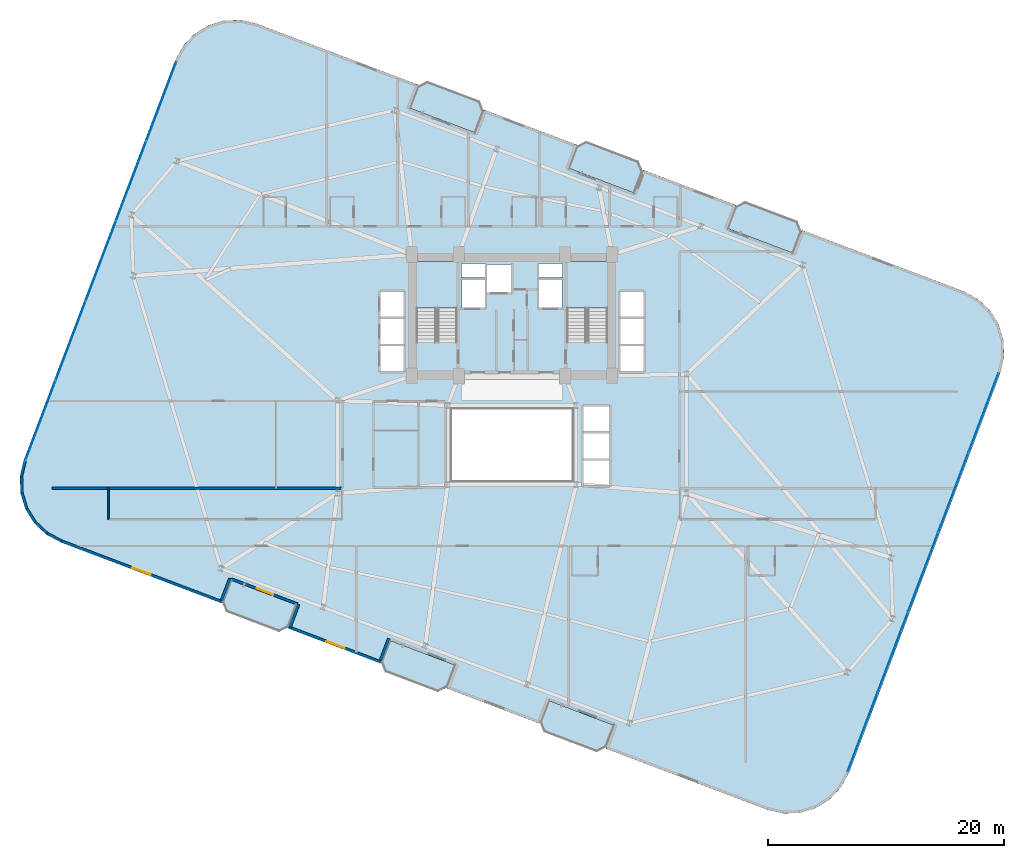
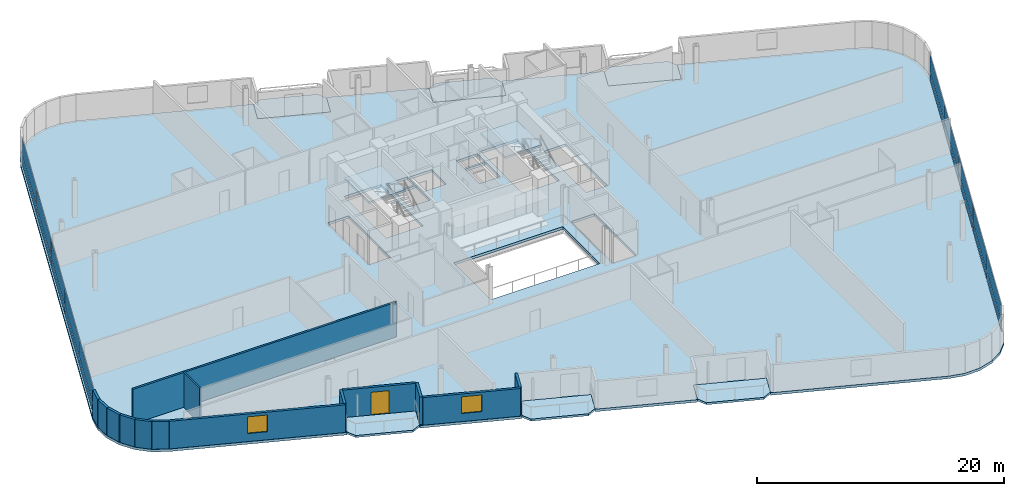
# One storey, part 16 of 24: 20 plates, 14 walls, 9 slabs, 2 windows, 1 door, 3 openings, 4 elements without a shape of their own.
"""IFC4 building model written with IfcOpenShell, lengths in metres."""

from ifc_helpers import new_model, si_unit, direction, frame, frame_2d, origin, origin_2d, place, context, subcontext, project, spatial, polyline, rectangle, outline, extrude, source, transform, mapped, material, layer, layer_set, type_object, element, fill, aggregate, save


model = new_model("IFC4")

# Units and contexts
model_context = context("Model", 3, precision=1e-05, world=origin(), true_north=direction((0.0, 1.0)))
body_context = subcontext(model_context, "Body", "Model", "MODEL_VIEW")
ifc_project = project(units=[si_unit("LENGTHUNIT", "METRE"), si_unit("AREAUNIT", "SQUARE_METRE"), si_unit("VOLUMEUNIT", "CUBIC_METRE"), si_unit("PLANEANGLEUNIT", "RADIAN"), si_unit("MASSUNIT", "GRAM", prefix="KILO")], contexts=[model_context])

# Site, building, storey
site_placement = place(None, origin())
site = spatial("IfcSite", under=ifc_project, at=site_placement, CompositionType="ELEMENT")
building_placement = place(site_placement, origin())
building = spatial("IfcBuilding", under=site, at=building_placement, Name="Varnelok Gate Tower", CompositionType="ELEMENT")
storey_placement = place(building_placement, frame((0.0, 0.0, 87.300048828125)))
storey = spatial("IfcBuildingStorey", under=building, at=storey_placement, Name="L21", CompositionType="ELEMENT", Elevation=87.300048828125)

# Slabs
ifc_material_1 = material(Name="Concrete C45/55", Category="concrete")
ifc_layer_1 = layer(ifc_material_1, 0.199951171875)
ifc_layer_set_1 = layer_set([ifc_layer_1], Name="Concrete C45/55")
slab_type_1 = type_object("IfcSlabType", Name="SLB-BALC-200", PredefinedType="FLOOR", material=ifc_layer_set_1)
slab_1_placement = place(storey_placement, frame((0.0, 0.0, -0.199951171875)))
element("IfcSlab", 1, at=slab_1_placement, inside=storey, type_object=slab_type_1, Name="L21 South Hollow Balcony 1", PredefinedType="FLOOR", context=body_context, shape_type="SweptSolid", body=[
    extrude(outline(polyline([(14.64208984375, 9.576416015625), (15.019775390625, 8.738525390625), (19.415283203125, 7.074462890625), (20.25341796875, 7.4521484375), (20.96142578125, 9.322509765625), (15.35009765625, 11.447021484375), (14.64208984375, 9.576416015625)])), origin(), (0.0, 0.0, 1.0), 0.199951171875),
])
slab_2_placement = place(storey_placement, frame((0.0, 0.0, -0.199951171875)))
element("IfcSlab", 2, at=slab_2_placement, inside=storey, type_object=slab_type_1, Name="L21 South Hollow Balcony 2", PredefinedType="FLOOR", context=body_context, shape_type="SweptSolid", body=[
    extrude(outline(polyline([(28.109375, 4.47802734375), (28.487060546875, 3.639892578125), (32.882568359375, 1.975830078125), (33.720703125, 2.353515625), (34.4287109375, 4.22412109375), (28.8173828125, 6.348388671875), (28.109375, 4.47802734375)])), origin(), (0.0, 0.0, 1.0), 0.199951171875),
])
slab_3_placement = place(storey_placement, frame((0.0, 0.0, -0.199951171875)))
element("IfcSlab", 3, at=slab_3_placement, inside=storey, type_object=slab_type_1, Name="L21 South Hollow Balcony 3", PredefinedType="FLOOR", context=body_context, shape_type="SweptSolid", body=[
    extrude(outline(polyline([(41.576416015625, -0.62060546875), (41.9541015625, -1.45849609375), (46.349853515625, -3.12255859375), (47.187744140625, -2.744873046875), (47.89599609375, -0.87451171875), (42.28466796875, 1.25), (41.576416015625, -0.62060546875)])), origin(), (0.0, 0.0, 1.0), 0.199951171875),
])
slab_4_placement = place(storey_placement, frame((0.0, 0.0, -0.199951171875)))
element("IfcSlab", 4, at=slab_4_placement, inside=storey, type_object=slab_type_1, Name="L21 North Hollow Balcony 1", PredefinedType="FLOOR", context=body_context, shape_type="SweptSolid", body=[
    extrude(outline(polyline([(30.504150390625, 51.474365234375), (36.115478515625, 49.35009765625), (36.823486328125, 51.220458984375), (36.44580078125, 52.05859375), (32.05029296875, 53.72265625), (31.212158203125, 53.344970703125), (30.504150390625, 51.474365234375)])), origin(), (0.0, 0.0, 1.0), 0.199951171875),
])
slab_5_placement = place(storey_placement, frame((0.0, 0.0, -0.199951171875)))
element("IfcSlab", 5, at=slab_5_placement, inside=storey, type_object=slab_type_1, Name="L21 North Hollow Balcony 2", PredefinedType="FLOOR", context=body_context, shape_type="SweptSolid", body=[
    extrude(outline(polyline([(43.97119140625, 46.3759765625), (49.58251953125, 44.251708984375), (50.290771484375, 46.1220703125), (49.9130859375, 46.9599609375), (45.517333984375, 48.6240234375), (44.679443359375, 48.246337890625), (43.97119140625, 46.3759765625)])), origin(), (0.0, 0.0, 1.0), 0.199951171875),
])
slab_6_placement = place(storey_placement, frame((0.0, 0.0, -0.199951171875)))
element("IfcSlab", 6, at=slab_6_placement, inside=storey, type_object=slab_type_1, Name="L21 North Hollow Balcony 3", PredefinedType="FLOOR", context=body_context, shape_type="SweptSolid", body=[
    extrude(outline(polyline([(57.4384765625, 41.27734375), (63.0498046875, 39.153076171875), (63.7578125, 41.0234375), (63.380126953125, 41.861572265625), (58.984619140625, 43.525634765625), (58.146484375, 43.14794921875), (57.4384765625, 41.27734375)])), origin(), (0.0, 0.0, 1.0), 0.199951171875),
])

# Stair, slab
ifc_material_2 = material(Name="Concrete C50/60", Category="concrete")
stair_type = type_object("IfcStairType", Name="STR-CORE-1650", PredefinedType="HALF_TURN_STAIR", material=ifc_material_2)
stair_1_placement = place(storey_placement, origin())
stair_1 = element("IfcStair", 7, at=stair_1_placement, inside=storey, type_object=stair_type, Name="L21 Exit Stair ST-1", PredefinedType="HALF_TURN_STAIR")
ifc_layer_2 = layer(ifc_material_1, 0.199951171875)
ifc_layer_set_2 = layer_set([ifc_layer_2], Name="Concrete C45/55")
slab_type_2 = type_object("IfcSlabType", Name="SLB-LAND-200", PredefinedType="LANDING", material=ifc_layer_set_2)
slab_7_placement = place(storey_placement, frame((0.0, 0.0, 1.64990234375)))
slab_7 = element("IfcSlab", 8, at=slab_7_placement, type_object=slab_type_2, Name="ST-1 landing 1", PredefinedType="LANDING", context=body_context, shape_type="SweptSolid", body=[
    extrude(outline(polyline([(34.550048828125, 34.5), (34.550048828125, 38.449951171875), (31.10009765625, 38.449951171875), (31.10009765625, 34.5), (34.550048828125, 34.5)])), origin(), (0.0, 0.0, 1.0), 0.199951171875),
])
aggregate(stair_1, [slab_7])

stair_2_placement = place(storey_placement, origin())
stair_2 = element("IfcStair", 9, at=stair_2_placement, inside=storey, type_object=stair_type, Name="L21 Exit Stair ST-2", PredefinedType="HALF_TURN_STAIR")
slab_8_placement = place(storey_placement, frame((0.0, 0.0, 1.64990234375)))
slab_8 = element("IfcSlab", 10, at=slab_8_placement, type_object=slab_type_2, Name="ST-2 landing 1", PredefinedType="LANDING", context=body_context, shape_type="SweptSolid", body=[
    extrude(outline(polyline([(47.300048828125, 34.5), (47.300048828125, 38.449951171875), (43.85009765625, 38.449951171875), (43.85009765625, 34.5), (47.300048828125, 34.5)])), origin(), (0.0, 0.0, 1.0), 0.199951171875),
])
aggregate(stair_2, [slab_8])

# Slab
ifc_layer_3 = layer(ifc_material_2, 0.25)
ifc_layer_set_3 = layer_set([ifc_layer_3], Name="Concrete C50/60")
slab_type_3 = type_object("IfcSlabType", Name="SLB-TYP-250", PredefinedType="FLOOR", material=ifc_layer_set_3)
slab_9_placement = place(storey_placement, frame((0.0, 0.0, -0.25)))
element("IfcSlab", 11, at=slab_9_placement, inside=storey, type_object=slab_type_3, Name="L21 Structural Floor Slab", PredefinedType="FLOOR", context=body_context, shape_type="SweptSolid", body=[
    extrude(outline(polyline([(-2.185791015625, 21.614501953125), (-2.508544921875, 20.2421875), (-2.465087890625, 18.833251953125), (-2.05859375, 17.4833984375), (-1.31640625, 16.284912109375), (-0.28955078125, 15.319091796875), (0.952392578125, 14.65234375), (12.05029296875, 10.45068359375), (14.606689453125, 9.48291015625), (15.35009765625, 11.447021484375), (20.96142578125, 9.322509765625), (20.218017578125, 7.358642578125), (28.073974609375, 4.384521484375), (28.8173828125, 6.348388671875), (34.4287109375, 4.22412109375), (33.685302734375, 2.260009765625), (41.541015625, -0.714111328125), (42.28466796875, 1.25), (47.89599609375, -0.87451171875), (47.15234375, -2.83837890625), (49.708740234375, -3.80615234375), (60.806640625, -8.0078125), (62.1787109375, -8.33056640625), (63.587890625, -8.287109375), (64.937744140625, -7.880615234375), (66.13623046875, -7.138427734375), (67.101806640625, -6.111328125), (67.768798828125, -4.869384765625), (80.585693359375, 28.985595703125), (80.90869140625, 30.35791015625), (80.865234375, 31.766845703125), (80.45849609375, 33.11669921875), (79.716552734375, 34.315185546875), (78.689453125, 35.28076171875), (77.447509765625, 35.94775390625), (66.349609375, 40.1494140625), (63.793212890625, 41.116943359375), (63.0498046875, 39.153076171875), (57.4384765625, 41.27734375), (58.181884765625, 43.241455078125), (50.326171875, 46.215576171875), (49.58251953125, 44.251708984375), (43.97119140625, 46.3759765625), (44.71484375, 48.33984375), (36.85888671875, 51.31396484375), (36.115478515625, 49.35009765625), (30.504150390625, 51.474365234375), (31.24755859375, 53.4384765625), (28.69140625, 54.40625), (17.593505859375, 58.607666015625), (16.22119140625, 58.930419921875), (14.81201171875, 58.886962890625), (13.46240234375, 58.48046875), (12.263916015625, 57.73828125), (11.298095703125, 56.71142578125), (10.631103515625, 55.469482421875), (-2.185791015625, 21.614501953125)]), holes=[polyline([(34.550048828125, 31.679931640625), (34.550048828125, 38.449951171875), (31.10009765625, 38.449951171875), (31.10009765625, 31.679931640625), (34.550048828125, 31.679931640625)]), polyline([(47.300048828125, 31.679931640625), (47.300048828125, 38.449951171875), (43.85009765625, 38.449951171875), (43.85009765625, 31.679931640625), (47.300048828125, 31.679931640625)]), polyline([(34.949951171875, 34.550048828125), (36.89990234375, 34.550048828125), (36.89990234375, 36.89990234375), (34.949951171875, 36.89990234375), (34.949951171875, 34.550048828125)]), polyline([(41.5, 34.550048828125), (43.449951171875, 34.550048828125), (43.449951171875, 36.89990234375), (41.5, 36.89990234375), (41.5, 34.550048828125)]), polyline([(37.050048828125, 35.85009765625), (39.14990234375, 35.85009765625), (39.14990234375, 38.199951171875), (37.050048828125, 38.199951171875), (37.050048828125, 35.85009765625)]), polyline([(28.050048828125, 29.14990234375), (30.050048828125, 29.14990234375), (30.050048828125, 35.89990234375), (28.050048828125, 35.89990234375), (28.050048828125, 29.14990234375)]), polyline([(48.35009765625, 29.14990234375), (50.35009765625, 29.14990234375), (50.35009765625, 35.89990234375), (48.35009765625, 35.89990234375), (48.35009765625, 29.14990234375)]), polyline([(45.25, 19.449951171875), (47.449951171875, 19.449951171875), (47.449951171875, 26.199951171875), (45.25, 26.199951171875), (45.25, 19.449951171875)]), polyline([(34.919921875, 37.080078125), (36.89990234375, 37.080078125), (36.89990234375, 38.280029296875), (34.919921875, 38.280029296875), (34.919921875, 37.080078125)]), polyline([(41.5, 37.080078125), (43.47998046875, 37.080078125), (43.47998046875, 38.280029296875), (41.5, 38.280029296875), (41.5, 37.080078125)]), polyline([(34.10009765625, 19.89990234375), (44.300048828125, 19.89990234375), (44.300048828125, 25.89990234375), (34.10009765625, 25.89990234375), (34.10009765625, 19.89990234375)])]), origin(), (0.0, 0.0, 1.0), 0.25),
])

# Curtain wall, plates
ifc_material_3 = material(Name="Anodized Aluminum Alloy 6063-T6", Category="aluminium")
ifc_layer_4 = layer(ifc_material_3, 0.179931640625)
ifc_layer_set_4 = layer_set([ifc_layer_4], Name="Anodized Aluminum Alloy 6063-T6")
curtain_wall_type = type_object("IfcCurtainWallType", Name="CW3-HOTEL-VISION", PredefinedType="USERDEFINED", material=ifc_layer_set_4)
curtain_wall_1_placement = place(storey_placement, origin())
curtain_wall_1 = element("IfcCurtainWall", 12, at=curtain_wall_1_placement, inside=storey, type_object=curtain_wall_type, Name="L21 West End Vision Curtain Wall", ObjectType="UNITISED CURTAIN WALL", PredefinedType="USERDEFINED")
ifc_material_4 = material(Name="Low-E Laminated Double Glazing IGU", Category="glass")
ifc_layer_5 = layer(ifc_material_4, 0.031982421875)
ifc_layer_set_5 = layer_set([ifc_layer_5], Name="Low-E Laminated Double Glazing IGU")
plate_type = type_object("IfcPlateType", Name="CW-PNL-IGU32", PredefinedType="CURTAIN_PANEL", material=ifc_layer_set_5)
shared_shape_1 = source(origin(), body_context, "Body", "SweptSolid", [
    extrude(rectangle(XDim=7.142578125, YDim=0.031982421875, at=origin_2d()), origin(), (0.0, 0.0, 1.0), 0.802490234375),
])
plate_1_placement = place(storey_placement, frame((-0.767333984375, 24.965576171875, 0.06494140625), z_axis=(0.0, 0.0, 1.0), x_axis=(0.354063660545, 0.935221323688, 0.0)))
plate_1 = element("IfcPlate", 13, at=plate_1_placement, type_object=plate_type, Name="CW3 panel 1.1", PredefinedType="CURTAIN_PANEL", context=body_context, shape_type="MappedRepresentation", body=[
    mapped(shared_shape_1, transform((0.0, 0.0, 0.0), scale=1.0)),
])
plate_2_placement = place(storey_placement, frame((9.474853515625, 52.019287109375, 0.06494140625), z_axis=(0.0, 0.0, 1.0), x_axis=(0.354063660545, 0.935221323688, 0.0)))
plate_2 = element("IfcPlate", 14, at=plate_2_placement, type_object=plate_type, Name="CW3 panel 5.1", PredefinedType="CURTAIN_PANEL", context=body_context, shape_type="MappedRepresentation", body=[
    mapped(shared_shape_1, transform((0.0, 0.0, 0.0), scale=1.0)),
])

curtain_wall_2_placement = place(storey_placement, origin())
curtain_wall_2 = element("IfcCurtainWall", 15, at=curtain_wall_2_placement, inside=storey, type_object=curtain_wall_type, Name="L21 East End Vision Curtain Wall", ObjectType="UNITISED CURTAIN WALL", PredefinedType="USERDEFINED")
plate_3_placement = place(storey_placement, frame((79.16748046875, 25.634521484375, 0.06494140625), z_axis=(0.0, 0.0, 1.0), x_axis=(-0.354063660545, -0.935221323688, 0.0)))
plate_3 = element("IfcPlate", 16, at=plate_3_placement, type_object=plate_type, Name="CW3 panel 1.1", PredefinedType="CURTAIN_PANEL", context=body_context, shape_type="MappedRepresentation", body=[
    mapped(shared_shape_1, transform((0.0, 0.0, 0.0), scale=1.0)),
])
plate_4_placement = place(storey_placement, frame((68.92529296875, -1.419189453125, 0.06494140625), z_axis=(0.0, 0.0, 1.0), x_axis=(-0.354063660545, -0.935221323688, 0.0)))
plate_4 = element("IfcPlate", 17, at=plate_4_placement, type_object=plate_type, Name="CW3 panel 5.1", PredefinedType="CURTAIN_PANEL", context=body_context, shape_type="MappedRepresentation", body=[
    mapped(shared_shape_1, transform((0.0, 0.0, 0.0), scale=1.0)),
])

# Plate
shared_shape_2 = source(origin(), body_context, "Body", "SweptSolid", [
    extrude(rectangle(XDim=7.142578125, YDim=0.031982421875, at=origin_2d()), origin(), (0.0, 0.0, 1.0), 1.732421875),
])
plate_5_placement = place(storey_placement, frame((-0.767333984375, 24.965576171875, 0.932373046875), z_axis=(0.0, 0.0, 1.0), x_axis=(0.354063660545, 0.935221323688, 0.0)))
plate_5 = element("IfcPlate", 18, at=plate_5_placement, type_object=plate_type, Name="CW3 panel 1.2", PredefinedType="CURTAIN_PANEL", context=body_context, shape_type="MappedRepresentation", body=[
    mapped(shared_shape_2, transform((0.0, 0.0, 0.0), scale=1.0)),
])

plate_6_placement = place(storey_placement, frame((9.474853515625, 52.019287109375, 0.932373046875), z_axis=(0.0, 0.0, 1.0), x_axis=(0.354063660545, 0.935221323688, 0.0)))
plate_6 = element("IfcPlate", 19, at=plate_6_placement, type_object=plate_type, Name="CW3 panel 5.2", PredefinedType="CURTAIN_PANEL", context=body_context, shape_type="MappedRepresentation", body=[
    mapped(shared_shape_2, transform((0.0, 0.0, 0.0), scale=1.0)),
])

plate_7_placement = place(storey_placement, frame((79.16748046875, 25.634521484375, 0.932373046875), z_axis=(0.0, 0.0, 1.0), x_axis=(-0.354063660545, -0.935221323688, 0.0)))
plate_7 = element("IfcPlate", 20, at=plate_7_placement, type_object=plate_type, Name="CW3 panel 1.2", PredefinedType="CURTAIN_PANEL", context=body_context, shape_type="MappedRepresentation", body=[
    mapped(shared_shape_2, transform((0.0, 0.0, 0.0), scale=1.0)),
])

plate_8_placement = place(storey_placement, frame((68.92529296875, -1.419189453125, 0.932373046875), z_axis=(0.0, 0.0, 1.0), x_axis=(-0.354063660545, -0.935221323688, 0.0)))
plate_8 = element("IfcPlate", 21, at=plate_8_placement, type_object=plate_type, Name="CW3 panel 5.2", PredefinedType="CURTAIN_PANEL", context=body_context, shape_type="MappedRepresentation", body=[
    mapped(shared_shape_2, transform((0.0, 0.0, 0.0), scale=1.0)),
])

shared_shape_3 = source(origin(), body_context, "Body", "SweptSolid", [
    extrude(rectangle(XDim=7.175048828125, YDim=0.031982421875, at=origin_2d()), origin(), (0.0, 0.0, 1.0), 0.802490234375),
])
plate_9_placement = place(storey_placement, frame((1.790283203125, 31.721435546875, 0.06494140625), z_axis=(0.0, 0.0, 1.0), x_axis=(0.354063660545, 0.935221323688, 0.0)))
plate_9 = element("IfcPlate", 22, at=plate_9_placement, type_object=plate_type, Name="CW3 panel 2.1", PredefinedType="CURTAIN_PANEL", context=body_context, shape_type="MappedRepresentation", body=[
    mapped(shared_shape_3, transform((0.0, 0.0, 0.0), scale=1.0)),
])

plate_10_placement = place(storey_placement, frame((4.353759765625, 38.492431640625, 0.06494140625), z_axis=(0.0, 0.0, 1.0), x_axis=(0.354063660545, 0.935221323688, 0.0)))
plate_10 = element("IfcPlate", 23, at=plate_10_placement, type_object=plate_type, Name="CW3 panel 3.1", PredefinedType="CURTAIN_PANEL", context=body_context, shape_type="MappedRepresentation", body=[
    mapped(shared_shape_3, transform((0.0, 0.0, 0.0), scale=1.0)),
])

plate_11_placement = place(storey_placement, frame((6.9169921875, 45.263427734375, 0.06494140625), z_axis=(0.0, 0.0, 1.0), x_axis=(0.354063660545, 0.935221323688, 0.0)))
plate_11 = element("IfcPlate", 24, at=plate_11_placement, type_object=plate_type, Name="CW3 panel 4.1", PredefinedType="CURTAIN_PANEL", context=body_context, shape_type="MappedRepresentation", body=[
    mapped(shared_shape_3, transform((0.0, 0.0, 0.0), scale=1.0)),
])

plate_12_placement = place(storey_placement, frame((76.60986328125, 18.878662109375, 0.06494140625), z_axis=(0.0, 0.0, 1.0), x_axis=(-0.354063660545, -0.935221323688, 0.0)))
plate_12 = element("IfcPlate", 25, at=plate_12_placement, type_object=plate_type, Name="CW3 panel 2.1", PredefinedType="CURTAIN_PANEL", context=body_context, shape_type="MappedRepresentation", body=[
    mapped(shared_shape_3, transform((0.0, 0.0, 0.0), scale=1.0)),
])

plate_13_placement = place(storey_placement, frame((74.04638671875, 12.107666015625, 0.06494140625), z_axis=(0.0, 0.0, 1.0), x_axis=(-0.354063660545, -0.935221323688, 0.0)))
plate_13 = element("IfcPlate", 26, at=plate_13_placement, type_object=plate_type, Name="CW3 panel 3.1", PredefinedType="CURTAIN_PANEL", context=body_context, shape_type="MappedRepresentation", body=[
    mapped(shared_shape_3, transform((0.0, 0.0, 0.0), scale=1.0)),
])

plate_14_placement = place(storey_placement, frame((71.48291015625, 5.336669921875, 0.06494140625), z_axis=(0.0, 0.0, 1.0), x_axis=(-0.354063660545, -0.935221323688, 0.0)))
plate_14 = element("IfcPlate", 27, at=plate_14_placement, type_object=plate_type, Name="CW3 panel 4.1", PredefinedType="CURTAIN_PANEL", context=body_context, shape_type="MappedRepresentation", body=[
    mapped(shared_shape_3, transform((0.0, 0.0, 0.0), scale=1.0)),
])

shared_shape_4 = source(origin(), body_context, "Body", "SweptSolid", [
    extrude(rectangle(XDim=7.175048828125, YDim=0.031982421875, at=origin_2d()), origin(), (0.0, 0.0, 1.0), 1.732421875),
])
plate_15_placement = place(storey_placement, frame((1.790283203125, 31.721435546875, 0.932373046875), z_axis=(0.0, 0.0, 1.0), x_axis=(0.354063660545, 0.935221323688, 0.0)))
plate_15 = element("IfcPlate", 28, at=plate_15_placement, type_object=plate_type, Name="CW3 panel 2.2", PredefinedType="CURTAIN_PANEL", context=body_context, shape_type="MappedRepresentation", body=[
    mapped(shared_shape_4, transform((0.0, 0.0, 0.0), scale=1.0)),
])

plate_16_placement = place(storey_placement, frame((4.353759765625, 38.492431640625, 0.932373046875), z_axis=(0.0, 0.0, 1.0), x_axis=(0.354063660545, 0.935221323688, 0.0)))
plate_16 = element("IfcPlate", 29, at=plate_16_placement, type_object=plate_type, Name="CW3 panel 3.2", PredefinedType="CURTAIN_PANEL", context=body_context, shape_type="MappedRepresentation", body=[
    mapped(shared_shape_4, transform((0.0, 0.0, 0.0), scale=1.0)),
])

plate_17_placement = place(storey_placement, frame((6.9169921875, 45.263427734375, 0.932373046875), z_axis=(0.0, 0.0, 1.0), x_axis=(0.354063660545, 0.935221323688, 0.0)))
plate_17 = element("IfcPlate", 30, at=plate_17_placement, type_object=plate_type, Name="CW3 panel 4.2", PredefinedType="CURTAIN_PANEL", context=body_context, shape_type="MappedRepresentation", body=[
    mapped(shared_shape_4, transform((0.0, 0.0, 0.0), scale=1.0)),
])

aggregate(curtain_wall_1, [plate_1, plate_5, plate_9, plate_15, plate_10, plate_16, plate_11, plate_17, plate_2, plate_6])

plate_18_placement = place(storey_placement, frame((76.60986328125, 18.878662109375, 0.932373046875), z_axis=(0.0, 0.0, 1.0), x_axis=(-0.354063660545, -0.935221323688, 0.0)))
plate_18 = element("IfcPlate", 31, at=plate_18_placement, type_object=plate_type, Name="CW3 panel 2.2", PredefinedType="CURTAIN_PANEL", context=body_context, shape_type="MappedRepresentation", body=[
    mapped(shared_shape_4, transform((0.0, 0.0, 0.0), scale=1.0)),
])

plate_19_placement = place(storey_placement, frame((74.04638671875, 12.107666015625, 0.932373046875), z_axis=(0.0, 0.0, 1.0), x_axis=(-0.354063660545, -0.935221323688, 0.0)))
plate_19 = element("IfcPlate", 32, at=plate_19_placement, type_object=plate_type, Name="CW3 panel 3.2", PredefinedType="CURTAIN_PANEL", context=body_context, shape_type="MappedRepresentation", body=[
    mapped(shared_shape_4, transform((0.0, 0.0, 0.0), scale=1.0)),
])

plate_20_placement = place(storey_placement, frame((71.48291015625, 5.336669921875, 0.932373046875), z_axis=(0.0, 0.0, 1.0), x_axis=(-0.354063660545, -0.935221323688, 0.0)))
plate_20 = element("IfcPlate", 33, at=plate_20_placement, type_object=plate_type, Name="CW3 panel 4.2", PredefinedType="CURTAIN_PANEL", context=body_context, shape_type="MappedRepresentation", body=[
    mapped(shared_shape_4, transform((0.0, 0.0, 0.0), scale=1.0)),
])

aggregate(curtain_wall_2, [plate_3, plate_7, plate_12, plate_18, plate_13, plate_19, plate_14, plate_20, plate_4, plate_8])

# Wall, opening, door
ifc_layer_6 = layer(ifc_material_1, 0.219970703125)
ifc_layer_set_6 = layer_set([ifc_layer_6], Name="Concrete C45/55")
wall_type_1 = type_object("IfcWallType", Name="EW-BALC-220", PredefinedType="SOLIDWALL", material=ifc_layer_set_6)
wall_1_placement = place(storey_placement, frame((21.00048828125, 9.42529296875, 0.0), z_axis=(0.0, 0.0, 1.0), x_axis=(-0.93521416643, 0.354082565101, 0.0)))
wall_1 = element("IfcWall", 34, at=wall_1_placement, inside=storey, type_object=wall_type_1, Name="L21 South Terrace Envelope Wall 1", PredefinedType="SOLIDWALL", context=body_context, shape_type="SweptSolid", body=[
    extrude(rectangle(XDim=6.0, YDim=0.219970703125, at=frame_2d((3.0, 0.0))), origin(), (0.0, 0.0, 1.0), 2.72998046875),
])
opening_1_placement = place(wall_1_placement, frame((2.176025390625, 0.0, 0.0)))
opening_1 = element("IfcOpeningElement", 35, at=opening_1_placement, cuts=wall_1, Name="Opening BD-1", PredefinedType="OPENING", context=body_context, shape_type="SweptSolid", body=[
    extrude(rectangle(XDim=1.5, YDim=2.25, at=frame_2d((0.75, 1.125))), frame((0.0, 0.119873046875, 0.0), z_axis=(0.0, -1.0, 0.0), x_axis=(1.0, 0.0, 0.0)), (0.0, 0.0, 1.0), 0.239990234375),
])
door_type = type_object("IfcDoorType", Name="DR-EXT-BALC1500", OperationType="NOTDEFINED", PredefinedType="DOOR", material=ifc_material_3)
door_placement = place(opening_1_placement, origin())
door = element("IfcDoor", 36, at=door_placement, inside=storey, type_object=door_type, Name="L21 South Balcony Glazed Door 1", OperationType="SINGLE_SWING_RIGHT", OverallHeight=2.25, OverallWidth=1.5, PredefinedType="DOOR", context=body_context, shape_type="SweptSolid", body=[
    extrude(rectangle(XDim=1.5, YDim=2.25, at=frame_2d((0.75, 1.125))), frame((0.0, 0.02490234375, 0.0), z_axis=(0.0, -1.0, 0.0), x_axis=(1.0, 0.0, 0.0)), (0.0, 0.0, 1.0), 0.050048828125),
])
fill(opening_1, door)

# Walls
wall_2_placement = place(storey_placement, frame((-2.072509765625, 21.571533203125, 0.0), z_axis=(0.0, 0.0, 1.0), x_axis=(-0.229049207401, -0.973414845063, 0.0)))
element("IfcWall", 37, at=wall_2_placement, inside=storey, type_object=wall_type_1, Name="L21 Perimeter Facade Closure Wall 1", PredefinedType="SOLIDWALL", context=body_context, shape_type="SweptSolid", body=[
    extrude(rectangle(XDim=1.378173828125, YDim=0.219970703125, at=frame_2d((0.68896484375, 0.0))), origin(), (0.0, 0.0, 1.0), 2.72998046875),
])
wall_3_placement = place(storey_placement, frame((-2.387451171875, 20.205078125, 0.0), z_axis=(0.0, 0.0, 1.0), x_axis=(0.030857297317, -0.999523800218, 0.0)))
element("IfcWall", 38, at=wall_3_placement, inside=storey, type_object=wall_type_1, Name="L21 Perimeter Facade Closure Wall 2", PredefinedType="SOLIDWALL", context=body_context, shape_type="SweptSolid", body=[
    extrude(rectangle(XDim=1.35302734375, YDim=0.219970703125, at=frame_2d((0.676513671875, 0.0))), origin(), (0.0, 0.0, 1.0), 2.72998046875),
])
wall_4_placement = place(storey_placement, frame((-2.33837890625, 18.82861328125, 0.0), z_axis=(0.0, 0.0, 1.0), x_axis=(0.288374187109, -0.957517795244, 0.0)))
element("IfcWall", 39, at=wall_4_placement, inside=storey, type_object=wall_type_1, Name="L21 Perimeter Facade Closure Wall 3", PredefinedType="SOLIDWALL", context=body_context, shape_type="SweptSolid", body=[
    extrude(rectangle(XDim=1.352783203125, YDim=0.219970703125, at=frame_2d((0.67626953125, 0.0))), origin(), (0.0, 0.0, 1.0), 2.72998046875),
])
wall_5_placement = place(storey_placement, frame((-1.93505859375, 17.511962890625, 0.0), z_axis=(0.0, 0.0, 1.0), x_axis=(0.526360826676, -0.850261301096, 0.0)))
element("IfcWall", 40, at=wall_5_placement, inside=storey, type_object=wall_type_1, Name="L21 Perimeter Facade Closure Wall 4", PredefinedType="SOLIDWALL", context=body_context, shape_type="SweptSolid", body=[
    extrude(rectangle(XDim=1.35302734375, YDim=0.219970703125, at=frame_2d((0.676513671875, 0.0))), origin(), (0.0, 0.0, 1.0), 2.72998046875),
])
wall_6_placement = place(storey_placement, frame((-1.20458984375, 16.344482421875, 0.0), z_axis=(0.0, 0.0, 1.0), x_axis=(0.7285124142, -0.685032599484, 0.0)))
element("IfcWall", 41, at=wall_6_placement, inside=storey, type_object=wall_type_1, Name="L21 Perimeter Facade Closure Wall 5", PredefinedType="SOLIDWALL", context=body_context, shape_type="SweptSolid", body=[
    extrude(rectangle(XDim=1.353271484375, YDim=0.219970703125, at=frame_2d((0.6767578125, 0.0))), origin(), (0.0, 0.0, 1.0), 2.72998046875),
])
wall_7_placement = place(storey_placement, frame((-0.19677734375, 15.405517578125, 0.0), z_axis=(0.0, 0.0, 1.0), x_axis=(0.881023507585, -0.47307248819, 0.0)))
element("IfcWall", 42, at=wall_7_placement, inside=storey, type_object=wall_type_1, Name="L21 Perimeter Facade Closure Wall 6", PredefinedType="SOLIDWALL", context=body_context, shape_type="SweptSolid", body=[
    extrude(rectangle(XDim=1.36083984375, YDim=0.219970703125, at=frame_2d((0.680419921875, 0.0))), origin(), (0.0, 0.0, 1.0), 2.72998046875),
])

# Wall, opening, window
wall_8_placement = place(storey_placement, frame((1.025634765625, 14.7529296875, 0.0), z_axis=(0.0, 0.0, 1.0), x_axis=(0.935222448475, -0.354060689526, 0.0)))
wall_8 = element("IfcWall", 43, at=wall_8_placement, inside=storey, type_object=wall_type_1, Name="L21 Perimeter Facade Closure Wall 7", PredefinedType="SOLIDWALL", context=body_context, shape_type="SweptSolid", body=[
    extrude(rectangle(XDim=14.447265625, YDim=0.219970703125, at=frame_2d((7.2236328125, 0.0))), origin(), (0.0, 0.0, 1.0), 2.72998046875),
])
opening_2_placement = place(wall_8_placement, frame((6.398681640625, 0.0, 0.800048828125)))
opening_2 = element("IfcOpeningElement", 44, at=opening_2_placement, cuts=wall_8, Name="Opening WN3", PredefinedType="OPENING", context=body_context, shape_type="SweptSolid", body=[
    extrude(rectangle(XDim=1.64990234375, YDim=1.64990234375, at=frame_2d((0.824951171875, 0.824951171875))), frame((0.0, 0.119873046875, 0.0), z_axis=(0.0, -1.0, 0.0), x_axis=(1.0, 0.0, 0.0)), (0.0, 0.0, 1.0), 0.239990234375),
])
window_type = type_object("IfcWindowType", Name="WN-HTL-1650", PartitioningType="SINGLE_PANEL", PredefinedType="WINDOW", material=ifc_material_4)
window_1_placement = place(opening_2_placement, origin())
window_1 = element("IfcWindow", 45, at=window_1_placement, inside=storey, type_object=window_type, Name="L21 Perimeter Vision Window 7", OverallHeight=1.64990234375, OverallWidth=1.64990234375, PartitioningType="SINGLE_PANEL", PredefinedType="WINDOW", context=body_context, shape_type="SweptSolid", body=[
    extrude(rectangle(XDim=1.64990234375, YDim=1.64990234375, at=frame_2d((0.824951171875, 0.824951171875))), frame((0.0, 0.030029296875, 0.0), z_axis=(0.0, -1.0, 0.0), x_axis=(1.0, 0.0, 0.0)), (0.0, 0.0, 1.0), 0.06005859375),
])
fill(opening_2, window_1)

# Walls
wall_9_placement = place(storey_placement, frame((14.581298828125, 9.754638671875, 0.0), z_axis=(0.0, 0.0, 1.0), x_axis=(0.354061611705, 0.935222099352, 0.0)))
element("IfcWall", 46, at=wall_9_placement, inside=storey, type_object=wall_type_1, Name="L21 Perimeter Facade Closure Wall 8", PredefinedType="SOLIDWALL", context=body_context, shape_type="SweptSolid", body=[
    extrude(rectangle(XDim=1.974853515625, YDim=0.219970703125, at=frame_2d((0.9873046875, 0.0))), origin(), (0.0, 0.0, 1.0), 2.72998046875),
])
wall_10_placement = place(storey_placement, frame((21.1162109375, 9.392333984375, 0.0), z_axis=(0.0, 0.0, 1.0), x_axis=(-0.353988291547, -0.935249854022, 0.0)))
element("IfcWall", 47, at=wall_10_placement, inside=storey, type_object=wall_type_1, Name="L21 Perimeter Facade Closure Wall 9", PredefinedType="SOLIDWALL", context=body_context, shape_type="SweptSolid", body=[
    extrude(rectangle(XDim=2.10009765625, YDim=0.219970703125, at=frame_2d((1.050048828125, 0.0))), origin(), (0.0, 0.0, 1.0), 2.72998046875),
])

# Wall, opening, window
wall_11_placement = place(storey_placement, frame((20.489501953125, 7.384033203125, 0.0), z_axis=(0.0, 0.0, 1.0), x_axis=(0.935230796934, -0.354038636968, 0.0)))
wall_11 = element("IfcWall", 48, at=wall_11_placement, inside=storey, type_object=wall_type_1, Name="L21 Perimeter Facade Closure Wall 10", PredefinedType="SOLIDWALL", context=body_context, shape_type="SweptSolid", body=[
    extrude(rectangle(XDim=8.03515625, YDim=0.219970703125, at=frame_2d((4.017578125, 0.0))), origin(), (0.0, 0.0, 1.0), 2.72998046875),
])
opening_3_placement = place(wall_11_placement, frame((3.1923828125, 0.0, 0.800048828125)))
opening_3 = element("IfcOpeningElement", 49, at=opening_3_placement, cuts=wall_11, Name="Opening WN3", PredefinedType="OPENING", context=body_context, shape_type="SweptSolid", body=[
    extrude(rectangle(XDim=1.64990234375, YDim=1.64990234375, at=frame_2d((0.824951171875, 0.824951171875))), frame((0.0, 0.119873046875, 0.0), z_axis=(0.0, -1.0, 0.0), x_axis=(1.0, 0.0, 0.0)), (0.0, 0.0, 1.0), 0.239990234375),
])
window_2_placement = place(opening_3_placement, origin())
window_2 = element("IfcWindow", 50, at=window_2_placement, inside=storey, type_object=window_type, Name="L21 Perimeter Vision Window 10", OverallHeight=1.64990234375, OverallWidth=1.64990234375, PartitioningType="SINGLE_PANEL", PredefinedType="WINDOW", context=body_context, shape_type="SweptSolid", body=[
    extrude(rectangle(XDim=1.64990234375, YDim=1.64990234375, at=frame_2d((0.824951171875, 0.824951171875))), frame((0.0, 0.030029296875, 0.0), z_axis=(0.0, -1.0, 0.0), x_axis=(1.0, 0.0, 0.0)), (0.0, 0.0, 1.0), 0.06005859375),
])
fill(opening_3, window_2)

# Walls
wall_12_placement = place(storey_placement, frame((28.04833984375, 4.656005859375, 0.0), z_axis=(0.0, 0.0, 1.0), x_axis=(0.354128791944, 0.935196663123, 0.0)))
element("IfcWall", 51, at=wall_12_placement, inside=storey, type_object=wall_type_1, Name="L21 Perimeter Facade Closure Wall 11", PredefinedType="SOLIDWALL", context=body_context, shape_type="SweptSolid", body=[
    extrude(rectangle(XDim=1.97509765625, YDim=0.219970703125, at=frame_2d((0.987548828125, 0.0))), origin(), (0.0, 0.0, 1.0), 2.72998046875),
])
ifc_material_5 = material(Name="Gypsum Plasterboard Acoustic Partition", Category="gypsum")
ifc_layer_7 = layer(ifc_material_5, 0.179931640625)
ifc_layer_set_7 = layer_set([ifc_layer_7], Name="Gypsum Plasterboard Acoustic Partition")
wall_type_2 = type_object("IfcWallType", Name="PW-CORR-180", PredefinedType="PARTITIONING", material=ifc_layer_set_7)
wall_13_placement = place(storey_placement, frame((0.199951171875, 19.239990234375, 0.0), z_axis=(0.0, 0.0, 1.0), x_axis=(1.0, 0.0, 0.0)))
element("IfcWall", 52, at=wall_13_placement, inside=storey, type_object=wall_type_2, Name="Interior Partition", PredefinedType="PARTITIONING", context=body_context, shape_type="SweptSolid", body=[
    extrude(rectangle(XDim=24.650146484375, YDim=0.179931640625, at=frame_2d((12.3251953125, 0.0))), origin(), (0.0, 0.0, 1.0), 3.449951171875),
])
ifc_layer_8 = layer(ifc_material_5, 0.125)
ifc_layer_set_8 = layer_set([ifc_layer_8], Name="Gypsum Plasterboard Acoustic Partition")
wall_type_3 = type_object("IfcWallType", Name="PW-PART-125", PredefinedType="PARTITIONING", material=ifc_layer_set_8)
wall_14_placement = place(storey_placement, frame((5.0, 16.610107421875, 0.0), z_axis=(0.0, 0.0, 1.0), x_axis=(0.0, 1.0, 0.0)))
element("IfcWall", 53, at=wall_14_placement, inside=storey, type_object=wall_type_3, Name="Interior Partition", PredefinedType="PARTITIONING", context=body_context, shape_type="SweptSolid", body=[
    extrude(rectangle(XDim=2.6298828125, YDim=0.125, at=frame_2d((1.31494140625, 0.0))), origin(), (0.0, 0.0, 1.0), 3.449951171875),
])

save(model, "model.ifc")
